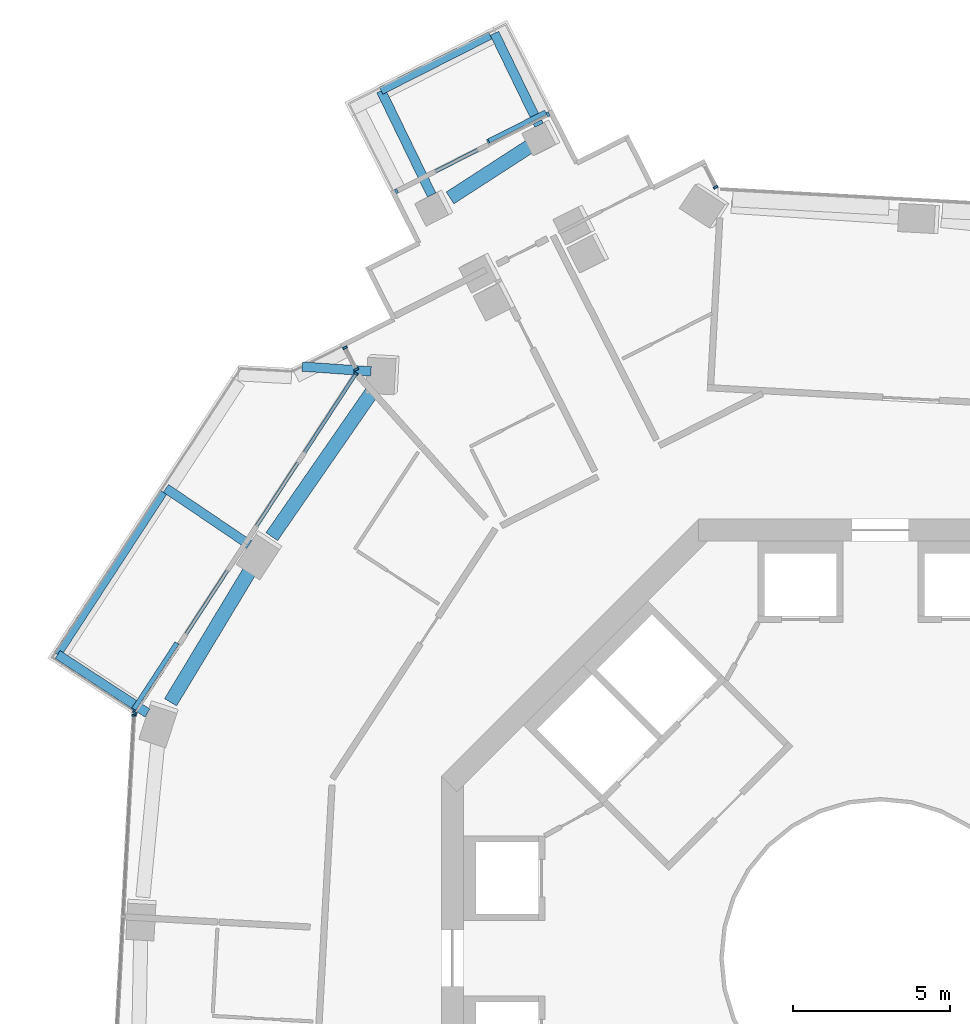
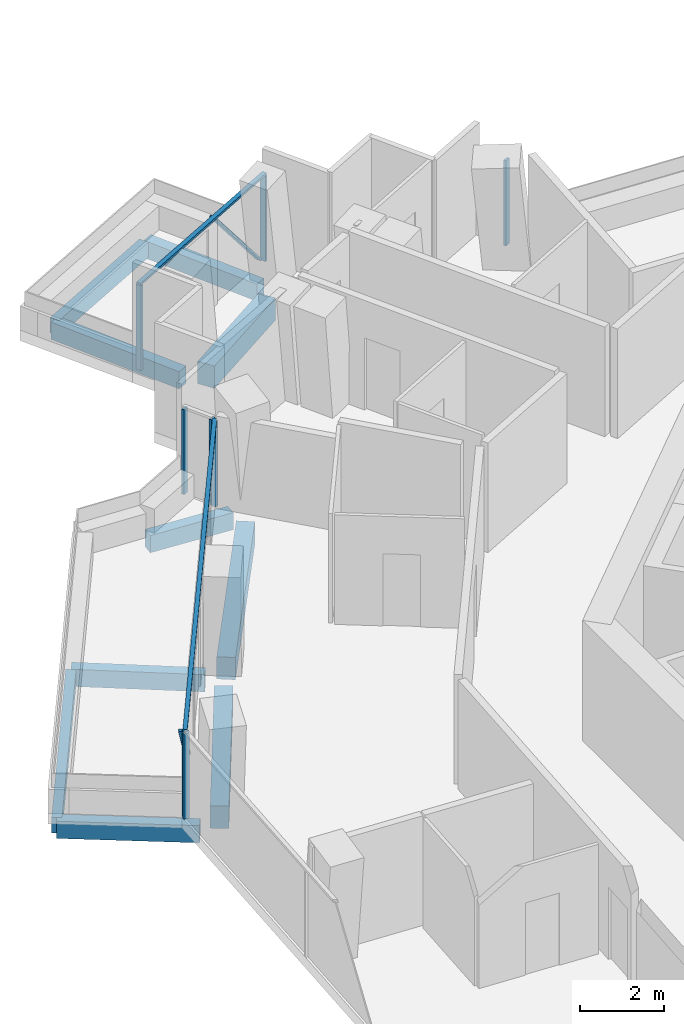
# One storey, part 7 of 23: 12 members, 10 beams, 5 elements without a shape of their own.
"""IFC4 building model written with IfcOpenShell, lengths in metres."""

from ifc_helpers import new_model, si_unit, direction, frame, origin, origin_2d, place, context, subcontext, project, spatial, rectangle, extrude, material, layer, layer_set, material_profile, profile_set, type_object, element, aggregate, save


model = new_model("IFC4")

# Units and contexts
model_context = context("Model", 3, precision=1e-05, world=origin(), true_north=direction((0.0, 1.0)))
body_context = subcontext(model_context, "Body", "Model", "MODEL_VIEW")
ifc_project = project(units=[si_unit("LENGTHUNIT", "METRE"), si_unit("AREAUNIT", "SQUARE_METRE"), si_unit("VOLUMEUNIT", "CUBIC_METRE"), si_unit("PLANEANGLEUNIT", "RADIAN"), si_unit("MASSUNIT", "GRAM", prefix="KILO")], contexts=[model_context])

# Site, building, storey
site_placement = place(None, origin())
site = spatial("IfcSite", under=ifc_project, at=site_placement, CompositionType="ELEMENT")
building_placement = place(site_placement, origin())
building = spatial("IfcBuilding", under=site, at=building_placement, Name="Verdalira Terraces Hotel", CompositionType="ELEMENT")
storey_placement = place(building_placement, frame((0.0, 0.0, 143.5)))
storey = spatial("IfcBuildingStorey", under=building, at=storey_placement, Name="L34", CompositionType="ELEMENT", Elevation=143.5)

# Beams
ifc_material_1 = material(Name="Concrete C40", Category="concrete")
ifc_material_profile_1 = material_profile(ifc_material_1, rectangle(XDim=0.300049, YDim=0.5, at=origin_2d()), Name="RC 300X500")
ifc_profile_set_1 = profile_set([ifc_material_profile_1], Name="Concrete C40")
beam_type_1 = type_object("IfcBeamType", Name="Balcony cantilever beam RC 300X500 C40", PredefinedType="BEAM", material=ifc_profile_set_1)
beam_1_placement = place(storey_placement, frame((-10.882568, 26.553223, -0.560059), z_axis=(-0.437162365, 0.899382603, 0.0), x_axis=(-0.899382603, -0.437162365, 0.0)))
element("IfcBeam", 1, at=beam_1_placement, inside=storey, type_object=beam_type_1, Name="Balcony cantilever beam R05-1", PredefinedType="BEAM", context=body_context, shape_type="SweptSolid", body=[
    extrude(rectangle(XDim=0.300049, YDim=0.5, at=origin_2d()), origin(), (0.0, 0.0, 1.0), 3.25415),
])
beam_2_placement = place(storey_placement, frame((-14.30835, 24.330322, -0.560059), z_axis=(-0.437096771, 0.899414483, 0.0), x_axis=(-0.899414483, -0.437096771, 0.0)))
element("IfcBeam", 2, at=beam_2_placement, inside=storey, type_object=beam_type_1, Name="Balcony cantilever beam R05-2", PredefinedType="BEAM", context=body_context, shape_type="SweptSolid", body=[
    extrude(rectangle(XDim=0.300049, YDim=0.5, at=origin_2d()), origin(), (0.0, 0.0, 1.0), 3.687988),
])
beam_3_placement = place(storey_placement, frame((-20.125977, 13.180908, -0.560059), z_axis=(-0.828276125, 0.560320141, 0.0), x_axis=(-0.560320141, -0.828276125, 0.0)))
element("IfcBeam", 3, at=beam_3_placement, inside=storey, type_object=beam_type_1, Name="Balcony cantilever beam R10-1", PredefinedType="BEAM", context=body_context, shape_type="SweptSolid", body=[
    extrude(rectangle(XDim=0.300049, YDim=0.5, at=origin_2d()), origin(), (0.0, 0.0, 1.0), 3.200684),
])
beam_4_placement = place(storey_placement, frame((-23.369873, 7.811523, -0.560059), z_axis=(-0.837526731, 0.546396353, 0.0), x_axis=(-0.546396353, -0.837526731, 0.0)))
element("IfcBeam", 4, at=beam_4_placement, inside=storey, type_object=beam_type_1, Name="Balcony cantilever beam R10-2", PredefinedType="BEAM", context=body_context, shape_type="SweptSolid", body=[
    extrude(rectangle(XDim=0.300049, YDim=0.5, at=origin_2d()), origin(), (0.0, 0.0, 1.0), 3.417236),
])
beam_5_placement = place(storey_placement, frame((-16.240967, 18.702393, -0.560059), z_axis=(-0.997471086, 0.071073424, 0.0), x_axis=(-0.071073424, -0.997471086, 0.0)))
element("IfcBeam", 5, at=beam_5_placement, inside=storey, type_object=beam_type_1, Name="Balcony cantilever beam R10-3", PredefinedType="BEAM", context=body_context, shape_type="SweptSolid", body=[
    extrude(rectangle(XDim=0.300049, YDim=0.5, at=origin_2d()), origin(), (0.0, 0.0, 1.0), 2.198486),
])
ifc_material_2 = material(Name="Concrete C40", Category="concrete")
ifc_material_profile_2 = material_profile(ifc_material_2, rectangle(XDim=0.25, YDim=0.449951, at=origin_2d()), Name="RC 250X450")
ifc_profile_set_2 = profile_set([ifc_material_profile_2], Name="Concrete C40")
beam_type_2 = type_object("IfcBeamType", Name="Balcony edge beam RC 250X450 C40", PredefinedType="BEAM", material=ifc_profile_set_2)
beam_6_placement = place(storey_placement, frame((-12.438965, 29.412354, -0.534912), z_axis=(-0.891936566, -0.452160549, 0.0), x_axis=(0.452160549, -0.891936566, 0.0)))
element("IfcBeam", 6, at=beam_6_placement, inside=storey, type_object=beam_type_2, Name="Balcony edge beam R05-1", PredefinedType="BEAM", context=body_context, shape_type="SweptSolid", body=[
    extrude(rectangle(XDim=0.25, YDim=0.449951, at=origin_2d()), origin(), (0.0, 0.0, 1.0), 3.90332),
])
beam_7_placement = place(storey_placement, frame((-22.858887, 14.848633, -0.534912), z_axis=(-0.546422194, -0.837509872, 0.0), x_axis=(0.837509872, -0.546422194, 0.0)))
element("IfcBeam", 7, at=beam_7_placement, inside=storey, type_object=beam_type_2, Name="Balcony edge beam R10-1", PredefinedType="BEAM", context=body_context, shape_type="SweptSolid", body=[
    extrude(rectangle(XDim=0.25, YDim=0.449951, at=origin_2d()), origin(), (0.0, 0.0, 1.0), 6.172852),
])

# Curtain wall, members
ifc_material_3 = material(Name="Clear glass", Category="glass")
ifc_layer_1 = layer(ifc_material_3, 0.14990234375)
ifc_layer_set_1 = layer_set([ifc_layer_1], Name="CW1 curtain wall")
curtain_wall_type_1 = type_object("IfcCurtainWallType", Name="CW1 curtain wall", PredefinedType="NOTDEFINED", material=ifc_layer_set_1)
curtain_wall_1_placement = place(storey_placement, origin())
curtain_wall_1 = element("IfcCurtainWall", 8, at=curtain_wall_1_placement, inside=storey, type_object=curtain_wall_type_1, Name="CW1 curtain wall L34 edge 11", PredefinedType="NOTDEFINED")
ifc_material_4 = material(Name="Terracotta frame", Category="masonry")
ifc_material_profile_3 = material_profile(ifc_material_4, rectangle(XDim=0.060059, YDim=0.149902, at=origin_2d()), Name="MU 60x150")
ifc_profile_set_3 = profile_set([ifc_material_profile_3], Name="Terracotta frame")
member_type_1 = type_object("IfcMemberType", Name="CW1 mullion 60x150", PredefinedType="MULLION", material=ifc_profile_set_3)
member_1_placement = place(storey_placement, frame((-16.718994, 18.632324, 0.0), z_axis=(0.0, 0.0, 1.0), x_axis=(-0.546394347, -0.83752804, 0.0)))
member_1 = element("IfcMember", 9, at=member_1_placement, type_object=member_type_1, Name="CW1 mullion", PredefinedType="MULLION", context=body_context, shape_type="SweptSolid", body=[
    extrude(rectangle(XDim=0.060059, YDim=0.149902, at=origin_2d()), origin(), (0.0, 0.0, 1.0), 2.475098),
])
member_2_placement = place(storey_placement, frame((-23.767334, 7.828369, 0.0), z_axis=(0.0, 0.0, 1.0), x_axis=(-0.546394347, -0.83752804, 0.0)))
member_2 = element("IfcMember", 10, at=member_2_placement, type_object=member_type_1, Name="CW1 mullion", PredefinedType="MULLION", context=body_context, shape_type="SweptSolid", body=[
    extrude(rectangle(XDim=0.060059, YDim=0.149902, at=origin_2d()), origin(), (0.0, 0.0, 1.0), 2.475098),
])

# Curtain wall, member
curtain_wall_2_placement = place(storey_placement, origin())
curtain_wall_2 = element("IfcCurtainWall", 11, at=curtain_wall_2_placement, inside=storey, type_object=curtain_wall_type_1, Name="CW1 curtain wall L34 edge 12", PredefinedType="NOTDEFINED")
member_3_placement = place(storey_placement, frame((-23.797607, 7.736572, 0.0), z_axis=(0.0, 0.0, 1.0), x_axis=(-0.054427365, -0.998517732, 0.0)))
member_3 = element("IfcMember", 12, at=member_3_placement, type_object=member_type_1, Name="CW1 mullion", PredefinedType="MULLION", context=body_context, shape_type="SweptSolid", body=[
    extrude(rectangle(XDim=0.060059, YDim=0.149902, at=origin_2d()), origin(), (0.0, 0.0, 1.0), 2.475098),
])
aggregate(curtain_wall_2, [member_3])

# Member
ifc_material_5 = material(Name="Terracotta frame", Category="masonry")
ifc_material_profile_4 = material_profile(ifc_material_5, rectangle(XDim=0.110107, YDim=0.064941, at=origin_2d()), Name="TR 65x110")
ifc_profile_set_4 = profile_set([ifc_material_profile_4], Name="Terracotta frame")
member_type_2 = type_object("IfcMemberType", Name="CW1 transom 65x110", PredefinedType="USERDEFINED", material=ifc_profile_set_4)
member_4_placement = place(storey_placement, frame((-16.702637, 18.657471, 2.507568), z_axis=(-0.546408561, -0.837518766, 0.0), x_axis=(0.837518766, -0.546408561, 0.0)))
member_4 = element("IfcMember", 13, at=member_4_placement, type_object=member_type_2, Name="CW1 transom", ObjectType="TRANSOM", PredefinedType="USERDEFINED", context=body_context, shape_type="SweptSolid", body=[
    extrude(rectangle(XDim=0.110107, YDim=0.064941, at=origin_2d()), origin(), (0.0, 0.0, 1.0), 12.959717),
])

# Curtain wall, member
ifc_material_6 = material(Name="Clear glass", Category="glass")
ifc_layer_2 = layer(ifc_material_6, 0.14990234375)
ifc_layer_set_2 = layer_set([ifc_layer_2], Name="CW2 curtain wall")
curtain_wall_type_2 = type_object("IfcCurtainWallType", Name="CW2 curtain wall", PredefinedType="NOTDEFINED", material=ifc_layer_set_2)
curtain_wall_3_placement = place(storey_placement, origin())
curtain_wall_3 = element("IfcCurtainWall", 14, at=curtain_wall_3_placement, inside=storey, type_object=curtain_wall_type_2, Name="CW2 curtain wall L34 edge 0", PredefinedType="NOTDEFINED")
ifc_material_7 = material(Name="Terracotta frame", Category="masonry")
ifc_material_profile_5 = material_profile(ifc_material_7, rectangle(XDim=0.070068, YDim=0.149902, at=origin_2d()), Name="MU 70x150")
ifc_profile_set_5 = profile_set([ifc_material_profile_5], Name="Terracotta frame")
member_type_3 = type_object("IfcMemberType", Name="CW2 mullion 70x150", PredefinedType="MULLION", material=ifc_profile_set_5)
member_5_placement = place(storey_placement, frame((-5.252686, 24.573486, 0.0), z_axis=(0.0, 0.0, 1.0), x_axis=(-0.452123386, 0.891955405, 0.0)))
member_5 = element("IfcMember", 15, at=member_5_placement, type_object=member_type_3, Name="CW2 mullion", PredefinedType="MULLION", context=body_context, shape_type="SweptSolid", body=[
    extrude(rectangle(XDim=0.070068, YDim=0.149902, at=origin_2d()), origin(), (0.0, 0.0, 1.0), 2.475098),
])
aggregate(curtain_wall_3, [member_5])

# Curtain wall, members
curtain_wall_4_placement = place(storey_placement, origin())
curtain_wall_4 = element("IfcCurtainWall", 16, at=curtain_wall_4_placement, inside=storey, type_object=curtain_wall_type_2, Name="CW2 curtain wall L34 edge 10", PredefinedType="NOTDEFINED")
member_6_placement = place(storey_placement, frame((-17.067139, 19.459473, 0.0), z_axis=(0.0, 0.0, 1.0), x_axis=(0.452123386, -0.891955405, 0.0)))
member_6 = element("IfcMember", 17, at=member_6_placement, type_object=member_type_3, Name="CW2 mullion", PredefinedType="MULLION", context=body_context, shape_type="SweptSolid", body=[
    extrude(rectangle(XDim=0.070068, YDim=0.149902, at=origin_2d()), origin(), (0.0, 0.0, 1.0), 2.475098),
])
member_7_placement = place(storey_placement, frame((-16.714355, 18.763672, 0.0), z_axis=(0.0, 0.0, 1.0), x_axis=(0.452123386, -0.891955405, 0.0)))
member_7 = element("IfcMember", 18, at=member_7_placement, type_object=member_type_3, Name="CW2 mullion", PredefinedType="MULLION", context=body_context, shape_type="SweptSolid", body=[
    extrude(rectangle(XDim=0.070068, YDim=0.149902, at=origin_2d()), origin(), (0.0, 0.0, 1.0), 2.475098),
])
aggregate(curtain_wall_4, [member_6, member_7])

ifc_material_8 = material(Name="Clear glass", Category="glass")
ifc_layer_3 = layer(ifc_material_8, 0.14990234375)
ifc_layer_set_3 = layer_set([ifc_layer_3], Name="CW3 curtain wall")
curtain_wall_type_3 = type_object("IfcCurtainWallType", Name="CW3 curtain wall", PredefinedType="NOTDEFINED", material=ifc_layer_set_3)
curtain_wall_5_placement = place(storey_placement, origin())
curtain_wall_5 = element("IfcCurtainWall", 19, at=curtain_wall_5_placement, inside=storey, type_object=curtain_wall_type_3, Name="CW3 curtain wall L34 edge 5", PredefinedType="NOTDEFINED")
ifc_material_9 = material(Name="Terracotta frame", Category="masonry")
ifc_material_profile_6 = material_profile(ifc_material_9, rectangle(XDim=0.080078, YDim=0.149902, at=origin_2d()), Name="MU 80x150")
ifc_profile_set_6 = profile_set([ifc_material_profile_6], Name="Terracotta frame")
member_type_4 = type_object("IfcMemberType", Name="CW3 mullion 80x150", PredefinedType="MULLION", material=ifc_profile_set_6)
member_8_placement = place(storey_placement, frame((-10.596436, 26.898682, 0.0), z_axis=(0.0, 0.0, 1.0), x_axis=(-0.891955405, -0.452123386, 0.0)))
member_8 = element("IfcMember", 20, at=member_8_placement, type_object=member_type_4, Name="CW3 mullion", PredefinedType="MULLION", context=body_context, shape_type="SweptSolid", body=[
    extrude(rectangle(XDim=0.080078, YDim=0.149902, at=origin_2d()), origin(), (0.0, 0.0, 1.0), 2.475098),
])
member_9_placement = place(storey_placement, frame((-15.430908, 24.448242, 0.0), z_axis=(0.0, 0.0, 1.0), x_axis=(-0.891955405, -0.452123386, 0.0)))
member_9 = element("IfcMember", 21, at=member_9_placement, type_object=member_type_4, Name="CW3 mullion", PredefinedType="MULLION", context=body_context, shape_type="SweptSolid", body=[
    extrude(rectangle(XDim=0.080078, YDim=0.149902, at=origin_2d()), origin(), (0.0, 0.0, 1.0), 2.475098),
])
ifc_material_10 = material(Name="Terracotta frame", Category="masonry")
ifc_material_profile_7 = material_profile(ifc_material_10, rectangle(XDim=0.120117, YDim=0.064941, at=origin_2d()), Name="TR 65x120")
ifc_profile_set_7 = profile_set([ifc_material_profile_7], Name="Terracotta frame")
member_type_5 = type_object("IfcMemberType", Name="CW3 transom 65x120", PredefinedType="USERDEFINED", material=ifc_profile_set_7)
member_10_placement = place(storey_placement, frame((-10.560791, 26.916748, 2.507568), z_axis=(-0.891963463, -0.452107488, 0.0), x_axis=(0.452107488, -0.891963463, 0.0)))
member_10 = element("IfcMember", 22, at=member_10_placement, type_object=member_type_5, Name="CW3 transom", ObjectType="TRANSOM", PredefinedType="USERDEFINED", context=body_context, shape_type="SweptSolid", body=[
    extrude(rectangle(XDim=0.120117, YDim=0.064941, at=origin_2d()), origin(), (0.0, 0.0, 1.0), 5.5),
])
ifc_material_11 = material(Name="Terracotta frame", Category="masonry")
ifc_material_profile_8 = material_profile(ifc_material_11, rectangle(XDim=0.149902, YDim=0.060059, at=origin_2d()), Name="GB 60x150")
ifc_profile_set_8 = profile_set([ifc_material_profile_8], Name="Terracotta frame")
member_type_6 = type_object("IfcMemberType", Name="Diagonal glazing bar 60x150", PredefinedType="USERDEFINED", material=ifc_profile_set_8)
member_11_placement = place(storey_placement, frame((-10.695801, 26.952637, 0.028809), z_axis=(-0.573870409, -0.290878534, 0.765547146), x_axis=(0.452110143, -0.891962117, 0.0)))
member_11 = element("IfcMember", 23, at=member_11_placement, type_object=member_type_6, Name="Diagonal glazing bar", ObjectType="GLAZING BAR", PredefinedType="USERDEFINED", context=body_context, shape_type="SweptSolid", body=[
    extrude(rectangle(XDim=0.149902, YDim=0.060059, at=origin_2d()), origin(), (0.0, 0.0, 1.0), 3.157471),
])
aggregate(curtain_wall_5, [member_8, member_9, member_10, member_11])

# Member
member_12_placement = place(storey_placement, frame((-22.4375, 10.030029, 0.022949), z_axis=(-0.393118244, -0.602660319, 0.694448404), x_axis=(0.837560417, -0.546344715, 0.0)))
member_12 = element("IfcMember", 24, at=member_12_placement, type_object=member_type_6, Name="Diagonal glazing bar", ObjectType="GLAZING BAR", PredefinedType="USERDEFINED", context=body_context, shape_type="SweptSolid", body=[
    extrude(rectangle(XDim=0.149902, YDim=0.060059, at=origin_2d()), origin(), (0.0, 0.0, 1.0), 3.497559),
])

aggregate(curtain_wall_1, [member_1, member_2, member_4, member_12])

# Beams
ifc_material_12 = material(Name="Concrete C50", Category="concrete")
ifc_material_profile_9 = material_profile(ifc_material_12, rectangle(XDim=0.449951, YDim=0.649902, at=origin_2d()), Name="RC 450X650")
ifc_profile_set_9 = profile_set([ifc_material_profile_9], Name="Concrete C50")
beam_type_3 = type_object("IfcBeamType", Name="Spandrel beam RC 450X650 C50", PredefinedType="SPANDREL", material=ifc_profile_set_9)
beam_8_placement = place(storey_placement, frame((-11.041016, 25.968018, -0.63501), z_axis=(-0.839664522, -0.543105413, 0.0), x_axis=(0.543105413, -0.839664522, 0.0)))
element("IfcBeam", 25, at=beam_8_placement, inside=storey, type_object=beam_type_3, Name="Spandrel beam B01", PredefinedType="SPANDREL", context=body_context, shape_type="SweptSolid", body=[
    extrude(rectangle(XDim=0.449951, YDim=0.649902, at=origin_2d()), origin(), (0.0, 0.0, 1.0), 3.192627),
])
beam_9_placement = place(storey_placement, frame((-16.175049, 18.099365, -0.63501), z_axis=(-0.56913835, -0.822241776, 0.0), x_axis=(0.822241776, -0.56913835, 0.0)))
element("IfcBeam", 26, at=beam_9_placement, inside=storey, type_object=beam_type_3, Name="Spandrel beam B02", PredefinedType="SPANDREL", context=body_context, shape_type="SweptSolid", body=[
    extrude(rectangle(XDim=0.449951, YDim=0.649902, at=origin_2d()), origin(), (0.0, 0.0, 1.0), 5.671875),
])
beam_10_placement = place(storey_placement, frame((-20.041504, 12.44751, -0.63501), z_axis=(-0.516535686, -0.856265663, 0.0), x_axis=(0.856265663, -0.516535686, 0.0)))
element("IfcBeam", 27, at=beam_10_placement, inside=storey, type_object=beam_type_3, Name="Spandrel beam B03", PredefinedType="SPANDREL", context=body_context, shape_type="SweptSolid", body=[
    extrude(rectangle(XDim=0.449951, YDim=0.649902, at=origin_2d()), origin(), (0.0, 0.0, 1.0), 5.012451),
])

save(model, "model.ifc")
